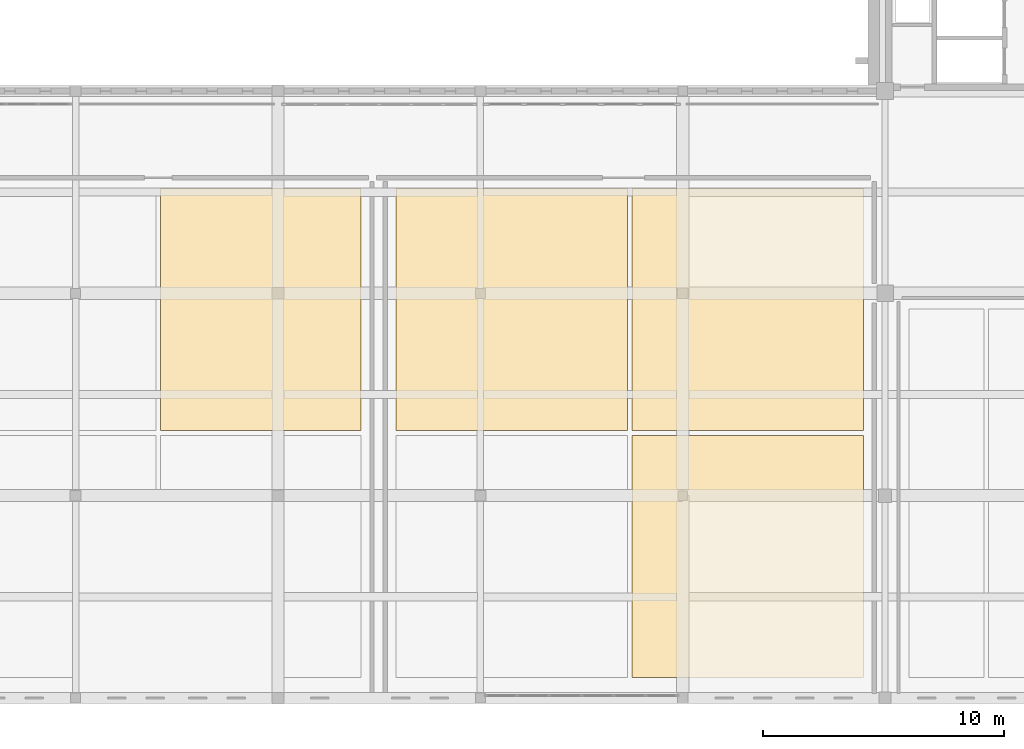
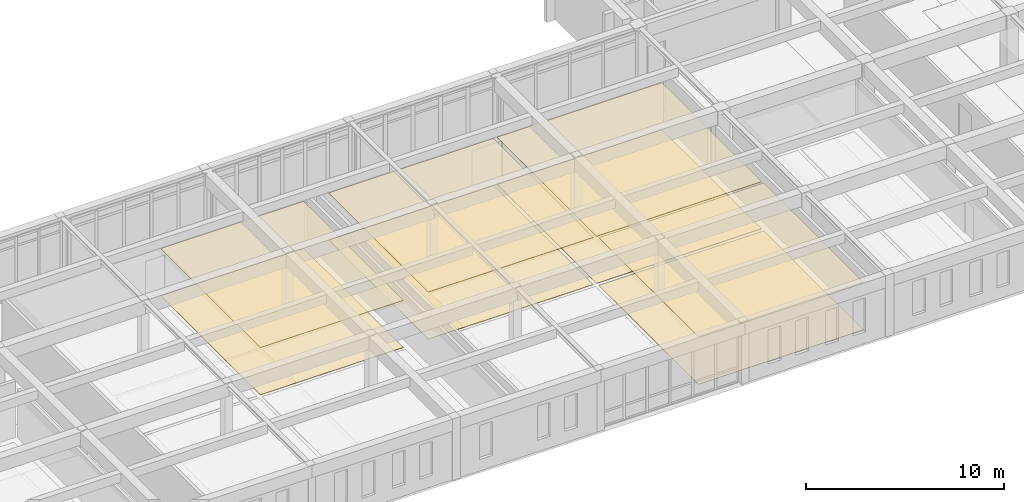
# One storey, part 103 of 110: 8 coverings.
"""IFC4 building model written with IfcOpenShell, lengths in metres."""

from ifc_helpers import new_model, si_unit, direction, frame, origin, origin_2d, place, context, subcontext, project, spatial, rectangle, extrude, material, layer, layer_set, type_object, element, save


model = new_model("IFC4")

# Units and contexts
model_context = context("Model", 3, precision=1e-05, world=origin(), true_north=direction((0.0, 1.0)))
body_context = subcontext(model_context, "Body", "Model", "MODEL_VIEW")
ifc_project = project(units=[si_unit("LENGTHUNIT", "METRE"), si_unit("AREAUNIT", "SQUARE_METRE"), si_unit("VOLUMEUNIT", "CUBIC_METRE"), si_unit("PLANEANGLEUNIT", "RADIAN"), si_unit("MASSUNIT", "GRAM", prefix="KILO")], contexts=[model_context])

# Site, building, storey
site_placement = place(None, origin())
site = spatial("IfcSite", under=ifc_project, at=site_placement, CompositionType="ELEMENT")
building_placement = place(site_placement, origin())
building = spatial("IfcBuilding", under=site, at=building_placement, Name="Kveldsbrygga Polytechnic", CompositionType="ELEMENT")
storey_placement = place(building_placement, frame((0.0, 0.0, 9.860107421875)))
storey = spatial("IfcBuildingStorey", under=building, at=storey_placement, Name="L02", CompositionType="ELEMENT", Elevation=9.860107421875)

# Coverings
ifc_material_1 = material(Name="Acoustic mineral baffle ceiling")
ifc_layer_1 = layer(ifc_material_1, 0.030029296875)
ifc_layer_set_1 = layer_set([ifc_layer_1], Name="Acoustic mineral baffle ceiling")
covering_type_1 = type_object("IfcCoveringType", Name="COV-CEIL-AC30", PredefinedType="CEILING", material=ifc_layer_set_1)
covering_1_placement = place(storey_placement, frame((100.08740234375, 16.125, 2.8896484375), z_axis=(0.0, 0.0, 1.0), x_axis=(1.0, 0.0, 0.0)))
element("IfcCovering", 1, at=covering_1_placement, inside=storey, type_object=covering_type_1, Name="Acoustic Ceiling SP-L02-SOC-EN", PredefinedType="CEILING", context=body_context, shape_type="SweptSolid", body=[
    extrude(rectangle(XDim=8.324951171875, YDim=10.050048828125, at=origin_2d()), origin(), (0.0, 0.0, 1.0), 0.030029296875),
])
ifc_material_2 = material(Name="Acoustic oak timber slat ceiling", Category="wood")
ifc_layer_2 = layer(ifc_material_2, 0.0400390625)
ifc_layer_set_2 = layer_set([ifc_layer_2], Name="Acoustic oak timber slat ceiling")
covering_type_2 = type_object("IfcCoveringType", Name="COV-CEIL-WD40", PredefinedType="CEILING", material=ifc_layer_set_2)
for number, where, z_axis, x_axis, name in (
    (2, (110.5, 16.125, 2.8798828125), (0.0, 0.0, 1.0), (1.0, 0.0, 0.0), "Acoustic Ceiling SP-L02-SREF-WN"),
    (3, (120.300048828125, 5.875, 2.919921875), (0.0, 0.0, 1.0), (1.0, 0.0, 0.0), "Acoustic Ceiling SP-L02-SREF-ES"),
    (4, (120.300048828125, 16.125, 2.8798828125), (0.0, 0.0, 1.0), (1.0, 0.0, 0.0), "Acoustic Ceiling SP-L02-SREF-EN"),
):
    element("IfcCovering", number, at=place(storey_placement, frame(where, z_axis=z_axis, x_axis=x_axis)), inside=storey, type_object=covering_type_2, Name=name, PredefinedType="CEILING", context=body_context, shape_type="SweptSolid", body=[
        extrude(rectangle(XDim=9.60009765625, YDim=10.050048828125, at=origin_2d()), origin(), (0.0, 0.0, 1.0), 0.0400390625),
    ])
ifc_material_3 = material(Name="Acoustic oak timber flooring", Category="wood")
ifc_layer_3 = layer(ifc_material_3, 0.02197265625)
ifc_layer_set_3 = layer_set([ifc_layer_3], Name="Acoustic oak timber flooring")
covering_type_3 = type_object("IfcCoveringType", Name="COV-FLR-OAK22", PredefinedType="FLOORING", material=ifc_layer_set_3)
covering_2_placement = place(storey_placement, frame((100.08740234375, 16.125, 0.0), z_axis=(0.0, 0.0, 1.0), x_axis=(1.0, 0.0, 0.0)))
element("IfcCovering", 5, at=covering_2_placement, inside=storey, type_object=covering_type_3, Name="Room Flooring SP-L02-SOC-EN", PredefinedType="FLOORING", context=body_context, shape_type="SweptSolid", body=[
    extrude(rectangle(XDim=8.324951171875, YDim=10.050048828125, at=origin_2d()), origin(), (0.0, 0.0, 1.0), 0.02197265625),
])
for number, where, z_axis, x_axis, name in (
    (6, (110.5, 16.125, 0.0), (0.0, 0.0, 1.0), (1.0, 0.0, 0.0), "Room Flooring SP-L02-SREF-WN"),
    (7, (120.300048828125, 5.875, 0.0), (0.0, 0.0, 1.0), (1.0, 0.0, 0.0), "Room Flooring SP-L02-SREF-ES"),
    (8, (120.300048828125, 16.125, 0.0), (0.0, 0.0, 1.0), (1.0, 0.0, 0.0), "Room Flooring SP-L02-SREF-EN"),
):
    element("IfcCovering", number, at=place(storey_placement, frame(where, z_axis=z_axis, x_axis=x_axis)), inside=storey, type_object=covering_type_3, Name=name, PredefinedType="FLOORING", context=body_context, shape_type="SweptSolid", body=[
        extrude(rectangle(XDim=9.60009765625, YDim=10.050048828125, at=origin_2d()), origin(), (0.0, 0.0, 1.0), 0.02197265625),
    ])

save(model, "model.ifc")
